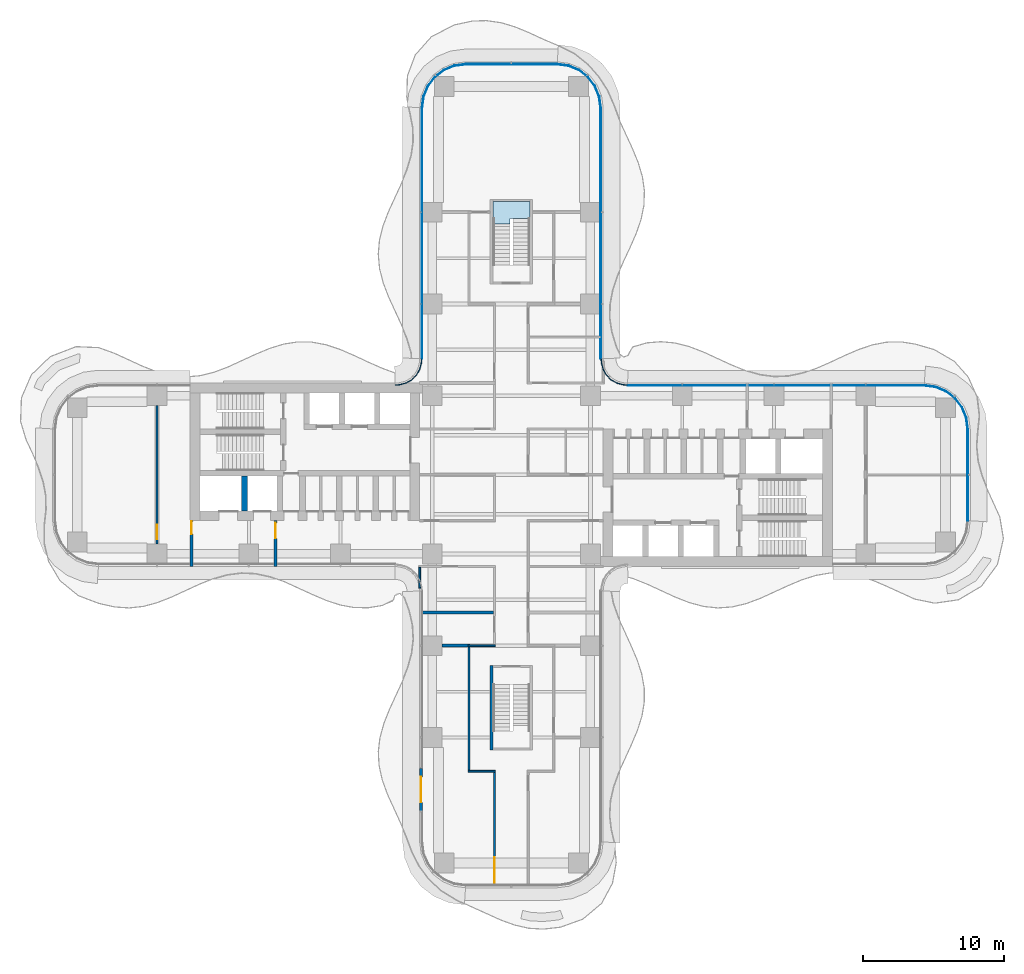
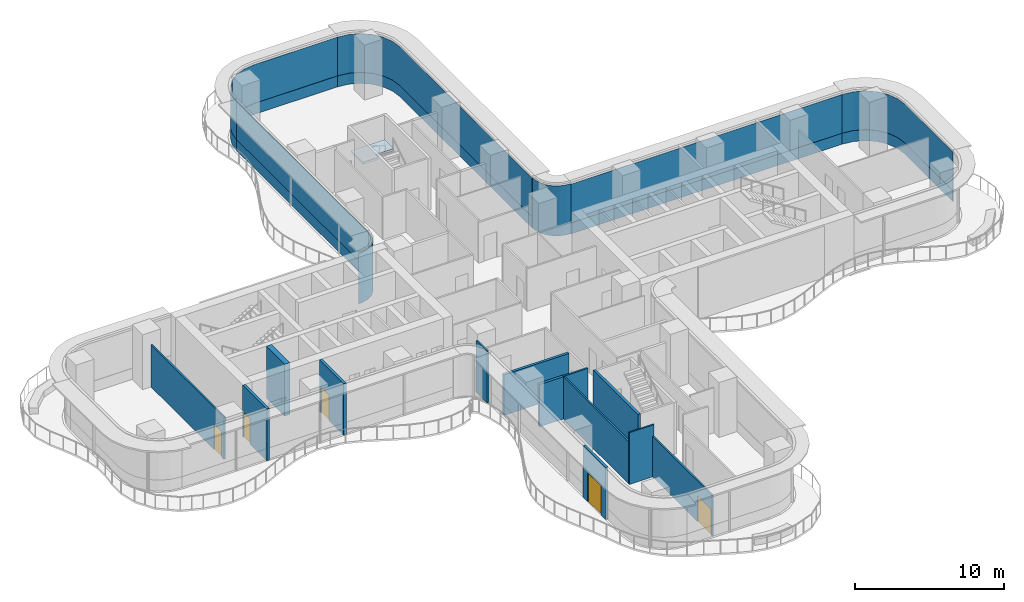
# One storey, part 16 of 22: 13 walls, 12 plates, 5 doors, 1 slab, 5 openings, 8 elements without a shape of their own.
"""IFC4 building model written with IfcOpenShell, lengths in metres."""

from ifc_helpers import new_model, si_unit, direction, frame, frame_2d, origin, place, context, subcontext, project, spatial, polyline, rectangle, outline, extrude, source, transform, mapped, material, layer, layer_set, type_object, element, fill, aggregate, save


model = new_model("IFC4")

# Units and contexts
model_context = context("Model", 3, precision=1e-05, world=origin(), true_north=direction((0.0, 1.0)))
body_context = subcontext(model_context, "Body", "Model", "MODEL_VIEW")
ifc_project = project(units=[si_unit("LENGTHUNIT", "METRE"), si_unit("AREAUNIT", "SQUARE_METRE"), si_unit("VOLUMEUNIT", "CUBIC_METRE"), si_unit("PLANEANGLEUNIT", "RADIAN"), si_unit("MASSUNIT", "GRAM", prefix="KILO")], contexts=[model_context])

# Site, building, storey
site_placement = place(None, origin())
site = spatial("IfcSite", under=ifc_project, at=site_placement, CompositionType="ELEMENT")
building_placement = place(site_placement, origin())
building = spatial("IfcBuilding", under=site, at=building_placement, Name="Trellis Farm Tower", CompositionType="ELEMENT")
storey_placement = place(building_placement, frame((0.0, 0.0, 56.5)))
storey = spatial("IfcBuildingStorey", under=building, at=storey_placement, Name="L11", CompositionType="ELEMENT", Elevation=56.5)

# Stair, slab
ifc_material_1 = material(Name="Concrete C50/60", Category="concrete")
stair_type = type_object("IfcStairType", Name="CORE EXIT STAIR 26 RISERS 173 MM", PredefinedType="HALF_TURN_STAIR", material=ifc_material_1)
placement_1 = place(storey_placement, origin())
stair = element("IfcStair", 1, at=placement_1, inside=storey, type_object=stair_type, Name="Exit stair N", PredefinedType="HALF_TURN_STAIR")
ifc_layer_1 = layer(ifc_material_1, 0.18994140625)
ifc_layer_set_1 = layer_set([ifc_layer_1], Name="CORE STAIR LANDING 190 CONCRETE C50/60")
slab_type = type_object("IfcSlabType", Name="CORE STAIR LANDING 190 CONCRETE C50/60", PredefinedType="LANDING", material=ifc_layer_set_1)
shared_shape_1 = source(origin(), body_context, "Body", "SweptSolid", [
    extrude(outline(polyline([(-0.10009765625, 17.753173828125), (-1.300048828125, 17.753173828125), (-1.300048828125, 18.14990234375), (-1.300048828125, 19.35009765625), (1.300048828125, 19.35009765625), (1.300048828125, 18.14990234375), (1.300048828125, 18.139892578125), (0.10009765625, 18.139892578125), (0.10009765625, 18.14990234375), (-0.10009765625, 18.14990234375), (-0.10009765625, 17.753173828125)])), origin(), (0.0, 0.0, 1.0), 0.18994140625),
])
slab_placement = place(storey_placement, frame((0.0, 0.0, 2.06005859375)))
slab = element("IfcSlab", 2, at=slab_placement, type_object=slab_type, Name="STN landing 1", PredefinedType="LANDING", context=body_context, shape_type="MappedRepresentation", body=[
    mapped(shared_shape_1, transform((0.0, 0.0, 0.0))),
])
aggregate(stair, [slab])

# Curtain wall, plates
ifc_material_2 = material(Name="Aluminium and glass curtain wall", Category="aluminium")
ifc_layer_2 = layer(ifc_material_2, 0.18994140625)
ifc_layer_set_2 = layer_set([ifc_layer_2], Name="RIBBON CURTAIN WALL CW1")
curtain_wall_type_1 = type_object("IfcCurtainWallType", Name="RIBBON CURTAIN WALL CW1", PredefinedType="NOTDEFINED", material=ifc_layer_set_2)
curtain_wall_1 = element("IfcCurtainWall", 3, at=placement_1, inside=storey, type_object=curtain_wall_type_1, Name="CW1 008", PredefinedType="NOTDEFINED")
ifc_material_3 = material(Name="Clear insulated glass", Category="glass")
ifc_layer_3 = layer(ifc_material_3, 0.0400390625)
ifc_layer_set_3 = layer_set([ifc_layer_3], Name="CW1 GLASS PANEL 40")
plate_type_1 = type_object("IfcPlateType", Name="CW1 GLASS PANEL 40", PredefinedType="CURTAIN_PANEL", material=ifc_layer_set_3)
shared_shape_2 = source(origin(), body_context, "Body", "SweptSolid", [
    extrude(outline(polyline([(29.240234375, 6.35009765625), (8.2265625, 6.35009765625), (8.22509765625, 6.31005859375), (29.237548828125, 6.31005859375), (29.240234375, 6.35009765625)])), origin(), (0.0, 0.0, 1.0), 3.170166015625),
])
placement_2 = place(storey_placement, frame((0.0, 0.0, 0.89990234375)))
plate_1 = element("IfcPlate", 4, at=placement_2, type_object=plate_type_1, Name="PL1 008", PredefinedType="CURTAIN_PANEL", context=body_context, shape_type="MappedRepresentation", body=[
    mapped(shared_shape_2, transform((0.0, 0.0, 0.0))),
])
ifc_material_4 = material(Name="Sandstone faced insulated panel", Category="masonry")
ifc_layer_4 = layer(ifc_material_4, 0.050048828125)
ifc_layer_set_4 = layer_set([ifc_layer_4], Name="CW1 STONE SPANDREL PANEL 50")
plate_type_2 = type_object("IfcPlateType", Name="CW1 STONE SPANDREL PANEL 50", PredefinedType="CURTAIN_PANEL", material=ifc_layer_set_4)
shared_shape_3 = source(origin(), body_context, "Body", "SweptSolid", [
    extrude(outline(polyline([(29.240234375, 6.35009765625), (8.2265625, 6.35009765625), (8.224853515625, 6.300048828125), (29.23681640625, 6.300048828125), (29.240234375, 6.35009765625)])), origin(), (0.0, 0.0, 1.0), 0.89990234375),
])
plate_2 = element("IfcPlate", 5, at=placement_1, type_object=plate_type_2, Name="PS1 008", PredefinedType="CURTAIN_PANEL", context=body_context, shape_type="MappedRepresentation", body=[
    mapped(shared_shape_3, transform((0.0, 0.0, 0.0))),
])
aggregate(curtain_wall_1, [plate_1, plate_2])

# Curtain wall, plate
ifc_layer_5 = layer(ifc_material_2, 0.166015625)
ifc_layer_set_5 = layer_set([ifc_layer_5], Name="WINTER GARDEN CURTAIN WALL CW3")
curtain_wall_type_2 = type_object("IfcCurtainWallType", Name="WINTER GARDEN CURTAIN WALL CW3", PredefinedType="NOTDEFINED", material=ifc_layer_set_5)
curtain_wall_2 = element("IfcCurtainWall", 6, at=placement_1, inside=storey, type_object=curtain_wall_type_2, Name="CW3 003", PredefinedType="NOTDEFINED")
ifc_layer_6 = layer(ifc_material_3, 0.0458984375)
ifc_layer_set_6 = layer_set([ifc_layer_6], Name="CW3 GLASS PANEL 46")
plate_type_3 = type_object("IfcPlateType", Name="CW3 GLASS PANEL 46", PredefinedType="CURTAIN_PANEL", material=ifc_layer_set_6)
shared_shape_4 = source(origin(), body_context, "Body", "SweptSolid", [
    extrude(outline(polyline([(8.2275390625, 6.3798828125), (8.0078125, 6.394287109375), (7.89208984375, 6.40966796875), (7.462158203125, 6.52490234375), (7.070556640625, 6.7509765625), (6.7509765625, 7.070556640625), (6.52490234375, 7.462158203125), (6.40966796875, 7.89208984375), (6.394287109375, 8.0078125), (6.3798828125, 8.2275390625), (6.333984375, 8.22607421875), (6.3486328125, 8.003173828125), (6.364501953125, 7.883056640625), (6.48193359375, 7.4443359375), (6.714111328125, 7.04248046875), (7.04248046875, 6.714111328125), (7.4443359375, 6.48193359375), (7.883056640625, 6.364501953125), (8.003173828125, 6.3486328125), (8.22607421875, 6.333984375), (8.2275390625, 6.3798828125)])), origin(), (0.0, 0.0, 1.0), 4.10009765625),
])
plate_3 = element("IfcPlate", 7, at=placement_1, type_object=plate_type_3, Name="PL3 003", PredefinedType="CURTAIN_PANEL", context=body_context, shape_type="MappedRepresentation", body=[
    mapped(shared_shape_4, transform((0.0, 0.0, 0.0))),
])
aggregate(curtain_wall_2, [plate_3])

# Curtain wall, plates
curtain_wall_3 = element("IfcCurtainWall", 8, at=placement_1, inside=storey, type_object=curtain_wall_type_1, Name="CW1 010", PredefinedType="NOTDEFINED")
shared_shape_5 = source(origin(), body_context, "Body", "SweptSolid", [
    extrude(outline(polyline([(3.240234375, 29.10009765625), (-3.240234375, 29.10009765625), (-4.052001953125, 28.9931640625), (-4.79931640625, 28.68359375), (-5.441162109375, 28.191162109375), (-5.93359375, 27.54931640625), (-6.2431640625, 26.802001953125), (-6.35009765625, 25.990234375), (-6.31005859375, 25.987548828125), (-6.2041015625, 26.79150390625), (-5.898681640625, 27.529296875), (-5.41259765625, 28.16259765625), (-4.779296875, 28.648681640625), (-4.04150390625, 28.9541015625), (-3.237548828125, 29.06005859375), (3.237548828125, 29.06005859375), (3.240234375, 29.10009765625)])), origin(), (0.0, 0.0, 1.0), 3.170166015625),
])
plate_4 = element("IfcPlate", 9, at=placement_2, type_object=plate_type_1, Name="PL1 010", PredefinedType="CURTAIN_PANEL", context=body_context, shape_type="MappedRepresentation", body=[
    mapped(shared_shape_5, transform((0.0, 0.0, 0.0))),
])
shared_shape_6 = source(origin(), body_context, "Body", "SweptSolid", [
    extrude(outline(polyline([(3.240234375, 29.10009765625), (-3.240234375, 29.10009765625), (-4.052001953125, 28.9931640625), (-4.79931640625, 28.68359375), (-5.441162109375, 28.191162109375), (-5.93359375, 27.54931640625), (-6.2431640625, 26.802001953125), (-6.35009765625, 25.990234375), (-6.300048828125, 25.98681640625), (-6.1943359375, 26.7890625), (-5.889892578125, 27.524169921875), (-5.405517578125, 28.155517578125), (-4.774169921875, 28.639892578125), (-4.0390625, 28.9443359375), (-3.23681640625, 29.050048828125), (3.23681640625, 29.050048828125), (3.240234375, 29.10009765625)])), origin(), (0.0, 0.0, 1.0), 0.89990234375),
])
plate_5 = element("IfcPlate", 10, at=placement_1, type_object=plate_type_2, Name="PS1 010", PredefinedType="CURTAIN_PANEL", context=body_context, shape_type="MappedRepresentation", body=[
    mapped(shared_shape_6, transform((0.0, 0.0, 0.0))),
])
aggregate(curtain_wall_3, [plate_4, plate_5])

curtain_wall_4 = element("IfcCurtainWall", 11, at=placement_1, inside=storey, type_object=curtain_wall_type_1, Name="CW1 011", PredefinedType="NOTDEFINED")
shared_shape_7 = source(origin(), body_context, "Body", "SweptSolid", [
    extrude(outline(polyline([(-6.35009765625, 25.990234375), (-6.35009765625, 8.2265625), (-6.31005859375, 8.22509765625), (-6.31005859375, 25.987548828125), (-6.35009765625, 25.990234375)])), origin(), (0.0, 0.0, 1.0), 3.170166015625),
])
plate_6 = element("IfcPlate", 12, at=placement_2, type_object=plate_type_1, Name="PL1 011", PredefinedType="CURTAIN_PANEL", context=body_context, shape_type="MappedRepresentation", body=[
    mapped(shared_shape_7, transform((0.0, 0.0, 0.0))),
])
shared_shape_8 = source(origin(), body_context, "Body", "SweptSolid", [
    extrude(outline(polyline([(-6.35009765625, 25.990234375), (-6.35009765625, 8.2265625), (-6.300048828125, 8.224853515625), (-6.300048828125, 25.98681640625), (-6.35009765625, 25.990234375)])), origin(), (0.0, 0.0, 1.0), 0.89990234375),
])
plate_7 = element("IfcPlate", 13, at=placement_1, type_object=plate_type_2, Name="PS1 011", PredefinedType="CURTAIN_PANEL", context=body_context, shape_type="MappedRepresentation", body=[
    mapped(shared_shape_8, transform((0.0, 0.0, 0.0))),
])
aggregate(curtain_wall_4, [plate_6, plate_7])

# Curtain wall, plate
curtain_wall_5 = element("IfcCurtainWall", 14, at=placement_1, inside=storey, type_object=curtain_wall_type_2, Name="CW3 004", PredefinedType="NOTDEFINED")
shared_shape_9 = source(origin(), body_context, "Body", "SweptSolid", [
    extrude(outline(polyline([(-6.3798828125, 8.2275390625), (-6.394287109375, 8.0078125), (-6.40966796875, 7.89208984375), (-6.52490234375, 7.462158203125), (-6.7509765625, 7.070556640625), (-7.070556640625, 6.7509765625), (-7.462158203125, 6.52490234375), (-7.89208984375, 6.40966796875), (-8.0078125, 6.394287109375), (-8.2275390625, 6.3798828125), (-8.22607421875, 6.333984375), (-8.003173828125, 6.3486328125), (-7.883056640625, 6.364501953125), (-7.4443359375, 6.48193359375), (-7.04248046875, 6.714111328125), (-6.714111328125, 7.04248046875), (-6.48193359375, 7.4443359375), (-6.364501953125, 7.883056640625), (-6.3486328125, 8.003173828125), (-6.333984375, 8.22607421875), (-6.3798828125, 8.2275390625)])), origin(), (0.0, 0.0, 1.0), 4.10009765625),
])
plate_8 = element("IfcPlate", 15, at=placement_1, type_object=plate_type_3, Name="PL3 004", PredefinedType="CURTAIN_PANEL", context=body_context, shape_type="MappedRepresentation", body=[
    mapped(shared_shape_9, transform((0.0, 0.0, 0.0))),
])
aggregate(curtain_wall_5, [plate_8])

# Curtain wall, plates
curtain_wall_6 = element("IfcCurtainWall", 16, at=placement_1, inside=storey, type_object=curtain_wall_type_1, Name="CW1 009", PredefinedType="NOTDEFINED")
shared_shape_10 = source(origin(), body_context, "Body", "SweptSolid", [
    extrude(outline(polyline([(6.35009765625, 8.2265625), (6.35009765625, 25.990234375), (6.2431640625, 26.802001953125), (5.93359375, 27.54931640625), (5.441162109375, 28.191162109375), (4.79931640625, 28.68359375), (4.052001953125, 28.9931640625), (3.240234375, 29.10009765625), (3.237548828125, 29.06005859375), (4.04150390625, 28.9541015625), (4.779296875, 28.648681640625), (5.41259765625, 28.16259765625), (5.898681640625, 27.529296875), (6.2041015625, 26.79150390625), (6.31005859375, 25.987548828125), (6.31005859375, 8.22509765625), (6.35009765625, 8.2265625)])), origin(), (0.0, 0.0, 1.0), 3.170166015625),
])
plate_9 = element("IfcPlate", 17, at=placement_2, type_object=plate_type_1, Name="PL1 009", PredefinedType="CURTAIN_PANEL", context=body_context, shape_type="MappedRepresentation", body=[
    mapped(shared_shape_10, transform((0.0, 0.0, 0.0))),
])
shared_shape_11 = source(origin(), body_context, "Body", "SweptSolid", [
    extrude(outline(polyline([(6.35009765625, 8.2265625), (6.35009765625, 25.990234375), (6.2431640625, 26.802001953125), (5.93359375, 27.54931640625), (5.441162109375, 28.191162109375), (4.79931640625, 28.68359375), (4.052001953125, 28.9931640625), (3.240234375, 29.10009765625), (3.23681640625, 29.050048828125), (4.0390625, 28.9443359375), (4.774169921875, 28.639892578125), (5.405517578125, 28.155517578125), (5.889892578125, 27.524169921875), (6.1943359375, 26.7890625), (6.300048828125, 25.98681640625), (6.300048828125, 8.224853515625), (6.35009765625, 8.2265625)])), origin(), (0.0, 0.0, 1.0), 0.89990234375),
])
plate_10 = element("IfcPlate", 18, at=placement_1, type_object=plate_type_2, Name="PS1 009", PredefinedType="CURTAIN_PANEL", context=body_context, shape_type="MappedRepresentation", body=[
    mapped(shared_shape_11, transform((0.0, 0.0, 0.0))),
])
aggregate(curtain_wall_6, [plate_9, plate_10])

curtain_wall_7 = element("IfcCurtainWall", 19, at=placement_1, inside=storey, type_object=curtain_wall_type_1, Name="CW1 007", PredefinedType="NOTDEFINED")
shared_shape_12 = source(origin(), body_context, "Body", "SweptSolid", [
    extrude(outline(polyline([(32.35009765625, -3.240234375), (32.35009765625, 3.240234375), (32.2431640625, 4.052001953125), (31.93359375, 4.79931640625), (31.441162109375, 5.441162109375), (30.79931640625, 5.93359375), (30.052001953125, 6.2431640625), (29.240234375, 6.35009765625), (29.237548828125, 6.31005859375), (30.04150390625, 6.2041015625), (30.779296875, 5.898681640625), (31.41259765625, 5.41259765625), (31.898681640625, 4.779296875), (32.2041015625, 4.04150390625), (32.31005859375, 3.237548828125), (32.31005859375, -3.237548828125), (32.35009765625, -3.240234375)])), origin(), (0.0, 0.0, 1.0), 3.170166015625),
])
plate_11 = element("IfcPlate", 20, at=placement_2, type_object=plate_type_1, Name="PL1 007", PredefinedType="CURTAIN_PANEL", context=body_context, shape_type="MappedRepresentation", body=[
    mapped(shared_shape_12, transform((0.0, 0.0, 0.0))),
])
shared_shape_13 = source(origin(), body_context, "Body", "SweptSolid", [
    extrude(outline(polyline([(32.35009765625, -3.240234375), (32.35009765625, 3.240234375), (32.2431640625, 4.052001953125), (31.93359375, 4.79931640625), (31.441162109375, 5.441162109375), (30.79931640625, 5.93359375), (30.052001953125, 6.2431640625), (29.240234375, 6.35009765625), (29.23681640625, 6.300048828125), (30.0390625, 6.1943359375), (30.774169921875, 5.889892578125), (31.405517578125, 5.405517578125), (31.889892578125, 4.774169921875), (32.1943359375, 4.0390625), (32.300048828125, 3.23681640625), (32.300048828125, -3.23681640625), (32.35009765625, -3.240234375)])), origin(), (0.0, 0.0, 1.0), 0.89990234375),
])
plate_12 = element("IfcPlate", 21, at=placement_1, type_object=plate_type_2, Name="PS1 007", PredefinedType="CURTAIN_PANEL", context=body_context, shape_type="MappedRepresentation", body=[
    mapped(shared_shape_13, transform((0.0, 0.0, 0.0))),
])
aggregate(curtain_wall_7, [plate_11, plate_12])

# Wall
ifc_material_5 = material(Name="Concrete C80/95", Category="concrete")
ifc_layer_7 = layer(ifc_material_5, 0.39990234375)
ifc_layer_set_7 = layer_set([ifc_layer_7], Name="CORE INNER WALL 400 CONCRETE C80/95")
wall_type_1 = type_object("IfcWallType", Name="CORE INNER WALL 400 CONCRETE C80/95", PredefinedType="SHEAR", material=ifc_layer_set_7)
shared_shape_14 = source(origin(), body_context, "Body", "SweptSolid", [
    extrude(rectangle(XDim=2.449951171875, YDim=0.39990234375, at=frame_2d((1.22509765625, 0.0))), origin(), (0.0, 0.0, 1.0), 4.25),
])
wall_1_placement = place(storey_placement, frame((-18.89990234375, -0.10009765625, 0.0), z_axis=(0.0, 0.0, 1.0), x_axis=(0.0, -1.0, 0.0)))
element("IfcWall", 22, at=wall_1_placement, inside=storey, type_object=wall_type_1, Name="Core wall", PredefinedType="SHEAR", context=body_context, shape_type="MappedRepresentation", body=[
    mapped(shared_shape_14, transform((0.0, 0.0, 0.0))),
])

# Wall, opening, door
ifc_material_6 = material(Name="Masonry blockwork", Category="masonry")
ifc_layer_8 = layer(ifc_material_6, 0.199951171875)
ifc_layer_set_8 = layer_set([ifc_layer_8], Name="FIRE LOBBY PARTITION 200 BLOCKWORK")
wall_type_2 = type_object("IfcWallType", Name="FIRE LOBBY PARTITION 200 BLOCKWORK", PredefinedType="PARTITIONING", material=ifc_layer_set_8)
shared_shape_15 = source(origin(), body_context, "Body", "SweptSolid", [
    extrude(rectangle(XDim=3.25, YDim=0.199951171875, at=frame_2d((1.625, 0.0))), origin(), (0.0, 0.0, 1.0), 4.25),
])
wall_2_placement = place(storey_placement, frame((-16.699951171875, -3.25, 0.0), z_axis=(0.0, 0.0, 1.0), x_axis=(0.0, -1.0, 0.0)))
wall_2 = element("IfcWall", 23, at=wall_2_placement, inside=storey, type_object=wall_type_2, Name="Fire-fighting lobby partition", PredefinedType="PARTITIONING", context=body_context, shape_type="MappedRepresentation", body=[
    mapped(shared_shape_15, transform((0.0, 0.0, 0.0))),
])
shared_shape_16 = source(origin(), body_context, "Body", "SweptSolid", [
    extrude(rectangle(XDim=1.10009765625, YDim=2.10009765625, at=frame_2d((0.550048828125, 1.050048828125))), frame((0.0, 0.110107421875, 0.0), z_axis=(0.0, -1.0, 0.0), x_axis=(1.0, 0.0, 0.0)), (0.0, 0.0, 1.0), 0.22021484375),
])
opening_1_placement = place(wall_2_placement, frame((0.14990234375, 0.0, 0.0)))
opening_1 = element("IfcOpeningElement", 24, at=opening_1_placement, cuts=wall_2, Name="Opening DC93", PredefinedType="OPENING", context=body_context, shape_type="MappedRepresentation", body=[
    mapped(shared_shape_16, transform((0.0, 0.0, 0.0))),
])
ifc_material_7 = material(Name="Steel", Category="steel")
door_type_1 = type_object("IfcDoorType", Name="CORE FIRE DOOR 1100 X 2100", OperationType="NOTDEFINED", PredefinedType="DOOR", material=ifc_material_7)
shared_shape_17 = source(origin(), body_context, "Body", "SweptSolid", [
    extrude(rectangle(XDim=1.10009765625, YDim=2.10009765625, at=frame_2d((0.550048828125, 1.050048828125))), frame((0.0, 0.02490234375, 0.0), z_axis=(0.0, -1.0, 0.0), x_axis=(1.0, 0.0, 0.0)), (0.0, 0.0, 1.0), 0.050048828125),
])
door_1_placement = place(opening_1_placement, origin())
door_1 = element("IfcDoor", 25, at=door_1_placement, inside=storey, type_object=door_type_1, Name="Core door", OperationType="SINGLE_SWING_RIGHT", OverallHeight=2.10009765625, OverallWidth=1.10009765625, PredefinedType="DOOR", context=body_context, shape_type="MappedRepresentation", body=[
    mapped(shared_shape_17, transform((0.0, 0.0, 0.0))),
])
fill(opening_1, door_1)

wall_3_placement = place(storey_placement, frame((-22.64990234375, -3.25, 0.0), z_axis=(0.0, 0.0, 1.0), x_axis=(0.0, -1.0, 0.0)))
wall_3 = element("IfcWall", 26, at=wall_3_placement, inside=storey, type_object=wall_type_2, Name="Fire-fighting lobby partition", PredefinedType="PARTITIONING", context=body_context, shape_type="MappedRepresentation", body=[
    mapped(shared_shape_15, transform((0.0, 0.0, 0.0))),
])
shared_shape_18 = source(origin(), body_context, "Body", "SweptSolid", [
    extrude(rectangle(XDim=0.89990234375, YDim=2.10009765625, at=frame_2d((0.449951171875, 1.050048828125))), frame((0.0, 0.110107421875, 0.0), z_axis=(0.0, -1.0, 0.0), x_axis=(1.0, 0.0, 0.0)), (0.0, 0.0, 1.0), 0.22021484375),
])
opening_2_placement = place(wall_3_placement, frame((0.050048828125, 0.0, 0.0)))
opening_2 = element("IfcOpeningElement", 27, at=opening_2_placement, cuts=wall_3, Name="Opening DC94", PredefinedType="OPENING", context=body_context, shape_type="MappedRepresentation", body=[
    mapped(shared_shape_18, transform((0.0, 0.0, 0.0))),
])
door_type_2 = type_object("IfcDoorType", Name="CORE FIRE DOOR 900 X 2100", OperationType="NOTDEFINED", PredefinedType="DOOR", material=ifc_material_7)
shared_shape_19 = source(origin(), body_context, "Body", "SweptSolid", [
    extrude(rectangle(XDim=0.89990234375, YDim=2.10009765625, at=frame_2d((0.449951171875, 1.050048828125))), frame((0.0, 0.02490234375, 0.0), z_axis=(0.0, -1.0, 0.0), x_axis=(1.0, 0.0, 0.0)), (0.0, 0.0, 1.0), 0.050048828125),
])
door_2_placement = place(opening_2_placement, origin())
door_2 = element("IfcDoor", 28, at=door_2_placement, inside=storey, type_object=door_type_2, Name="Core door", OperationType="SINGLE_SWING_RIGHT", OverallHeight=2.10009765625, OverallWidth=0.89990234375, PredefinedType="DOOR", context=body_context, shape_type="MappedRepresentation", body=[
    mapped(shared_shape_19, transform((0.0, 0.0, 0.0))),
])
fill(opening_2, door_2)

# Wall
ifc_layer_9 = layer(ifc_material_5, 0.199951171875)
ifc_layer_set_9 = layer_set([ifc_layer_9], Name="CORE STAIR ENCLOSURE WALL 200 CONCRETE C80/95")
wall_type_3 = type_object("IfcWallType", Name="CORE STAIR ENCLOSURE WALL 200 CONCRETE C80/95", PredefinedType="SHEAR", material=ifc_layer_set_9)
shared_shape_20 = source(origin(), body_context, "Body", "SweptSolid", [
    extrude(rectangle(XDim=6.0, YDim=0.199951171875, at=frame_2d((3.0, 0.0))), origin(), (0.0, 0.0, 1.0), 4.25),
])
wall_4_placement = place(storey_placement, frame((-1.39990234375, -13.5, 0.0), z_axis=(0.0, 0.0, 1.0), x_axis=(0.0, -1.0, 0.0)))
element("IfcWall", 29, at=wall_4_placement, inside=storey, type_object=wall_type_3, Name="Stair enclosure wall", PredefinedType="SHEAR", context=body_context, shape_type="MappedRepresentation", body=[
    mapped(shared_shape_20, transform((0.0, 0.0, 0.0))),
])

# Wall, opening, door
ifc_material_8 = material(Name="Sandstone faced insulated wall", Category="masonry")
ifc_layer_10 = layer(ifc_material_8, 0.199951171875)
ifc_layer_set_10 = layer_set([ifc_layer_10], Name="EXTERNAL INFILL WALL 200")
wall_type_4 = type_object("IfcWallType", Name="EXTERNAL INFILL WALL 200", PredefinedType="SOLIDWALL", material=ifc_layer_set_10)
shared_shape_21 = source(origin(), body_context, "Body", "SweptSolid", [
    extrude(rectangle(XDim=3.0, YDim=0.199951171875, at=frame_2d((1.5, 0.0))), origin(), (0.0, 0.0, 1.0), 4.25),
])
wall_5_placement = place(storey_placement, frame((-6.39990234375, -20.800048828125, 0.0), z_axis=(0.0, 0.0, 1.0), x_axis=(0.0, -1.0, 0.0)))
wall_5 = element("IfcWall", 30, at=wall_5_placement, inside=storey, type_object=wall_type_4, Name="EW1 01", PredefinedType="SOLIDWALL", context=body_context, shape_type="MappedRepresentation", body=[
    mapped(shared_shape_21, transform((0.0, 0.0, 0.0))),
])
shared_shape_22 = source(origin(), body_context, "Body", "SweptSolid", [
    extrude(rectangle(XDim=1.800048828125, YDim=2.39990234375, at=frame_2d((0.89990234375, 1.199951171875))), frame((0.0, 0.110107421875, 0.0), z_axis=(0.0, -1.0, 0.0), x_axis=(1.0, 0.0, 0.0)), (0.0, 0.0, 1.0), 0.22021484375),
])
opening_3_placement = place(wall_5_placement, frame((0.60009765625, 0.0, 0.0)))
opening_3 = element("IfcOpeningElement", 31, at=opening_3_placement, cuts=wall_5, Name="Opening ED1", PredefinedType="OPENING", context=body_context, shape_type="MappedRepresentation", body=[
    mapped(shared_shape_22, transform((0.0, 0.0, 0.0))),
])
ifc_material_9 = material(Name="Aluminium framed glazed door", Category="aluminium")
door_type_3 = type_object("IfcDoorType", Name="BALCONY DOOR 1800x2400", OperationType="DOUBLE_DOOR_SINGLE_SWING", PredefinedType="DOOR", material=ifc_material_9)
shared_shape_23 = source(origin(), body_context, "Body", "SweptSolid", [
    extrude(rectangle(XDim=1.800048828125, YDim=2.39990234375, at=frame_2d((0.89990234375, 1.199951171875))), frame((0.0, 0.02490234375, 0.0), z_axis=(0.0, -1.0, 0.0), x_axis=(1.0, 0.0, 0.0)), (0.0, 0.0, 1.0), 0.050048828125),
])
door_3_placement = place(opening_3_placement, origin())
door_3 = element("IfcDoor", 32, at=door_3_placement, inside=storey, type_object=door_type_3, Name="Balcony door", OperationType="DOUBLE_DOOR_SINGLE_SWING", OverallHeight=2.39990234375, OverallWidth=1.800048828125, PredefinedType="DOOR", context=body_context, shape_type="MappedRepresentation", body=[
    mapped(shared_shape_23, transform((0.0, 0.0, 0.0))),
])
fill(opening_3, door_3)

# Wall
ifc_material_10 = material(Name="Plasterboard on steel studs, mineral wool", Category="steel")
ifc_layer_11 = layer(ifc_material_10, 0.125)
ifc_layer_set_11 = layer_set([ifc_layer_11], Name="PARTITION 125 STUD EI 60")
wall_type_5 = type_object("IfcWallType", Name="PARTITION 125 STUD EI 60", PredefinedType="PARTITIONING", material=ifc_layer_set_11)
shared_shape_24 = source(origin(), body_context, "Body", "SweptSolid", [
    extrude(rectangle(XDim=1.468994140625, YDim=0.125, at=frame_2d((0.734375, 0.0))), origin(), (0.0, 0.0, 1.0), 4.25),
])
wall_6_placement = place(storey_placement, frame((-6.5, -6.5625, 0.0), z_axis=(0.0, 0.0, 1.0), x_axis=(0.0, -1.0, 0.0)))
element("IfcWall", 33, at=wall_6_placement, inside=storey, type_object=wall_type_5, Name="Partition PW1", PredefinedType="PARTITIONING", context=body_context, shape_type="MappedRepresentation", body=[
    mapped(shared_shape_24, transform((0.0, 0.0, 0.0))),
])

# Wall, opening, door
shared_shape_25 = source(origin(), body_context, "Body", "SweptSolid", [
    extrude(rectangle(XDim=9.7998046875, YDim=0.125, at=frame_2d((4.89990234375, 0.0))), origin(), (0.0, 0.0, 1.0), 3.4677734375),
])
wall_7_placement = place(storey_placement, frame((-25.10009765625, -4.89990234375, 0.0), z_axis=(0.0, 0.0, 1.0), x_axis=(0.0, 1.0, 0.0)))
wall_7 = element("IfcWall", 34, at=wall_7_placement, inside=storey, type_object=wall_type_5, Name="Partition PW1", PredefinedType="PARTITIONING", context=body_context, shape_type="MappedRepresentation", body=[
    mapped(shared_shape_25, transform((0.0, 0.0, 0.0))),
])
shared_shape_26 = source(origin(), body_context, "Body", "SweptSolid", [
    extrude(rectangle(XDim=1.0, YDim=2.10009765625, at=frame_2d((0.5, 1.050048828125))), frame((0.0, 0.072509765625, 0.0), z_axis=(0.0, -1.0, 0.0), x_axis=(1.0, 0.0, 0.0)), (0.0, 0.0, 1.0), 0.14501953125),
])
opening_4_placement = place(wall_7_placement, frame((0.35009765625, 0.0, 0.0)))
opening_4 = element("IfcOpeningElement", 35, at=opening_4_placement, cuts=wall_7, Name="Opening D106", PredefinedType="OPENING", context=body_context, shape_type="MappedRepresentation", body=[
    mapped(shared_shape_26, transform((0.0, 0.0, 0.0))),
])
ifc_material_11 = material(Name="Fire-rated timber door leaf in a hollow metal frame", Category="wood")
door_type_4 = type_object("IfcDoorType", Name="DOOR 1000x2100 FD30S", OperationType="NOTDEFINED", PredefinedType="DOOR", material=ifc_material_11)
shared_shape_27 = source(origin(), body_context, "Body", "SweptSolid", [
    extrude(rectangle(XDim=1.0, YDim=2.10009765625, at=frame_2d((0.5, 1.050048828125))), frame((0.0, 0.02490234375, 0.0), z_axis=(0.0, -1.0, 0.0), x_axis=(1.0, 0.0, 0.0)), (0.0, 0.0, 1.0), 0.050048828125),
])
door_4_placement = place(opening_4_placement, origin())
door_4 = element("IfcDoor", 36, at=door_4_placement, inside=storey, type_object=door_type_4, Name="Door D106", OperationType="SINGLE_SWING_LEFT", OverallHeight=2.10009765625, OverallWidth=1.0, PredefinedType="DOOR", context=body_context, shape_type="MappedRepresentation", body=[
    mapped(shared_shape_27, transform((0.0, 0.0, 0.0))),
])
fill(opening_4, door_4)

# Walls
shared_shape_28 = source(origin(), body_context, "Body", "SweptSolid", [
    extrude(rectangle(XDim=1.925048828125, YDim=0.125, at=frame_2d((0.96240234375, 0.0))), origin(), (0.0, 0.0, 1.0), 3.4677734375),
])
wall_8_placement = place(storey_placement, frame((-3.0625, -12.10009765625, 0.0), z_axis=(0.0, 0.0, 1.0), x_axis=(1.0, 0.0, 0.0)))
element("IfcWall", 37, at=wall_8_placement, inside=storey, type_object=wall_type_5, Name="Partition PW1", PredefinedType="PARTITIONING", context=body_context, shape_type="MappedRepresentation", body=[
    mapped(shared_shape_28, transform((0.0, 0.0, 0.0))),
])
ifc_material_12 = material(Name="Lightweight blockwork, plastered", Category="masonry")
ifc_layer_12 = layer(ifc_material_12, 0.199951171875)
ifc_layer_set_12 = layer_set([ifc_layer_12], Name="BLOCK WALL 200 EI 120")
wall_type_6 = type_object("IfcWallType", Name="BLOCK WALL 200 EI 120", PredefinedType="PARTITIONING", material=ifc_layer_set_12)
shared_shape_29 = source(origin(), body_context, "Body", "SweptSolid", [
    extrude(rectangle(XDim=1.96240234375, YDim=0.199951171875, at=frame_2d((0.981201171875, 0.0))), origin(), (0.0, 0.0, 1.0), 3.4677734375),
])
wall_9_placement = place(storey_placement, frame((-4.89990234375, -12.10009765625, 0.0), z_axis=(0.0, 0.0, 1.0), x_axis=(1.0, 0.0, 0.0)))
element("IfcWall", 38, at=wall_9_placement, inside=storey, type_object=wall_type_6, Name="Partition PW3", PredefinedType="PARTITIONING", context=body_context, shape_type="MappedRepresentation", body=[
    mapped(shared_shape_29, transform((0.0, 0.0, 0.0))),
])

# Wall, opening, door
shared_shape_30 = source(origin(), body_context, "Body", "SweptSolid", [
    extrude(rectangle(XDim=7.987548828125, YDim=0.125, at=frame_2d((3.99365234375, 0.0))), origin(), (0.0, 0.0, 1.0), 3.330078125),
])
wall_10_placement = place(storey_placement, frame((-1.199951171875, -21.0625, 0.0), z_axis=(0.0, 0.0, 1.0), x_axis=(0.0, -1.0, 0.0)))
wall_10 = element("IfcWall", 39, at=wall_10_placement, inside=storey, type_object=wall_type_5, Name="Partition PW1", PredefinedType="PARTITIONING", context=body_context, shape_type="MappedRepresentation", body=[
    mapped(shared_shape_30, transform((0.0, 0.0, 0.0))),
])
shared_shape_31 = source(origin(), body_context, "Body", "SweptSolid", [
    extrude(rectangle(XDim=1.800048828125, YDim=2.10009765625, at=frame_2d((0.89990234375, 1.050048828125))), frame((0.0, 0.072509765625, 0.0), z_axis=(0.0, -1.0, 0.0), x_axis=(1.0, 0.0, 0.0)), (0.0, 0.0, 1.0), 0.14501953125),
])
opening_5_placement = place(wall_10_placement, frame((6.03759765625, 0.0, 0.0)))
opening_5 = element("IfcOpeningElement", 40, at=opening_5_placement, cuts=wall_10, Name="Opening D201", PredefinedType="OPENING", context=body_context, shape_type="MappedRepresentation", body=[
    mapped(shared_shape_31, transform((0.0, 0.0, 0.0))),
])
door_type_5 = type_object("IfcDoorType", Name="DOOR PAIR 1800x2100 FD30S", OperationType="NOTDEFINED", PredefinedType="DOOR", material=ifc_material_11)
shared_shape_32 = source(origin(), body_context, "Body", "SweptSolid", [
    extrude(rectangle(XDim=1.800048828125, YDim=2.10009765625, at=frame_2d((0.89990234375, 1.050048828125))), frame((0.0, 0.02490234375, 0.0), z_axis=(0.0, -1.0, 0.0), x_axis=(1.0, 0.0, 0.0)), (0.0, 0.0, 1.0), 0.050048828125),
])
door_5_placement = place(opening_5_placement, origin())
door_5 = element("IfcDoor", 41, at=door_5_placement, inside=storey, type_object=door_type_5, Name="Door D201", OperationType="DOUBLE_DOOR_SINGLE_SWING", OverallHeight=2.10009765625, OverallWidth=1.800048828125, PredefinedType="DOOR", context=body_context, shape_type="MappedRepresentation", body=[
    mapped(shared_shape_32, transform((0.0, 0.0, 0.0))),
])
fill(opening_5, door_5)

# Walls
shared_shape_33 = source(origin(), body_context, "Body", "SweptSolid", [
    extrude(rectangle(XDim=8.737548828125, YDim=0.125, at=frame_2d((4.36865234375, 0.0))), origin(), (0.0, 0.0, 1.0), 3.4677734375),
])
wall_11_placement = place(storey_placement, frame((-3.0, -20.9375, 0.0), z_axis=(0.0, 0.0, 1.0), x_axis=(0.0, 1.0, 0.0)))
element("IfcWall", 42, at=wall_11_placement, inside=storey, type_object=wall_type_5, Name="Partition PW1", PredefinedType="PARTITIONING", context=body_context, shape_type="MappedRepresentation", body=[
    mapped(shared_shape_33, transform((0.0, 0.0, 0.0))),
])
shared_shape_34 = source(origin(), body_context, "Body", "SweptSolid", [
    extrude(rectangle(XDim=1.925048828125, YDim=0.125, at=frame_2d((0.96240234375, 0.0))), origin(), (0.0, 0.0, 1.0), 4.25),
])
wall_12_placement = place(storey_placement, frame((-1.137451171875, -21.0, 0.0), z_axis=(0.0, 0.0, 1.0), x_axis=(-1.0, 0.0, 0.0)))
element("IfcWall", 43, at=wall_12_placement, inside=storey, type_object=wall_type_5, Name="Partition PW1", PredefinedType="PARTITIONING", context=body_context, shape_type="MappedRepresentation", body=[
    mapped(shared_shape_34, transform((0.0, 0.0, 0.0))),
])
shared_shape_35 = source(origin(), body_context, "Body", "SweptSolid", [
    extrude(rectangle(XDim=5.03759765625, YDim=0.199951171875, at=frame_2d((2.518798828125, 0.0))), origin(), (0.0, 0.0, 1.0), 3.330078125),
])
wall_13_placement = place(storey_placement, frame((-6.300048828125, -9.75, 0.0), z_axis=(0.0, 0.0, 1.0), x_axis=(1.0, 0.0, 0.0)))
element("IfcWall", 44, at=wall_13_placement, inside=storey, type_object=wall_type_6, Name="Partition PW3", PredefinedType="PARTITIONING", context=body_context, shape_type="MappedRepresentation", body=[
    mapped(shared_shape_35, transform((0.0, 0.0, 0.0))),
])

save(model, "model.ifc")
